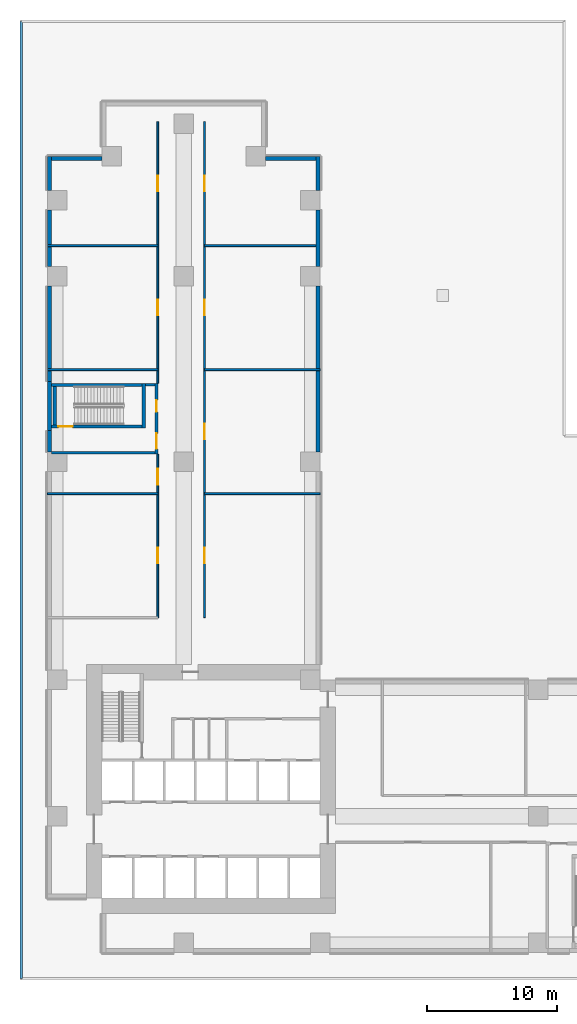
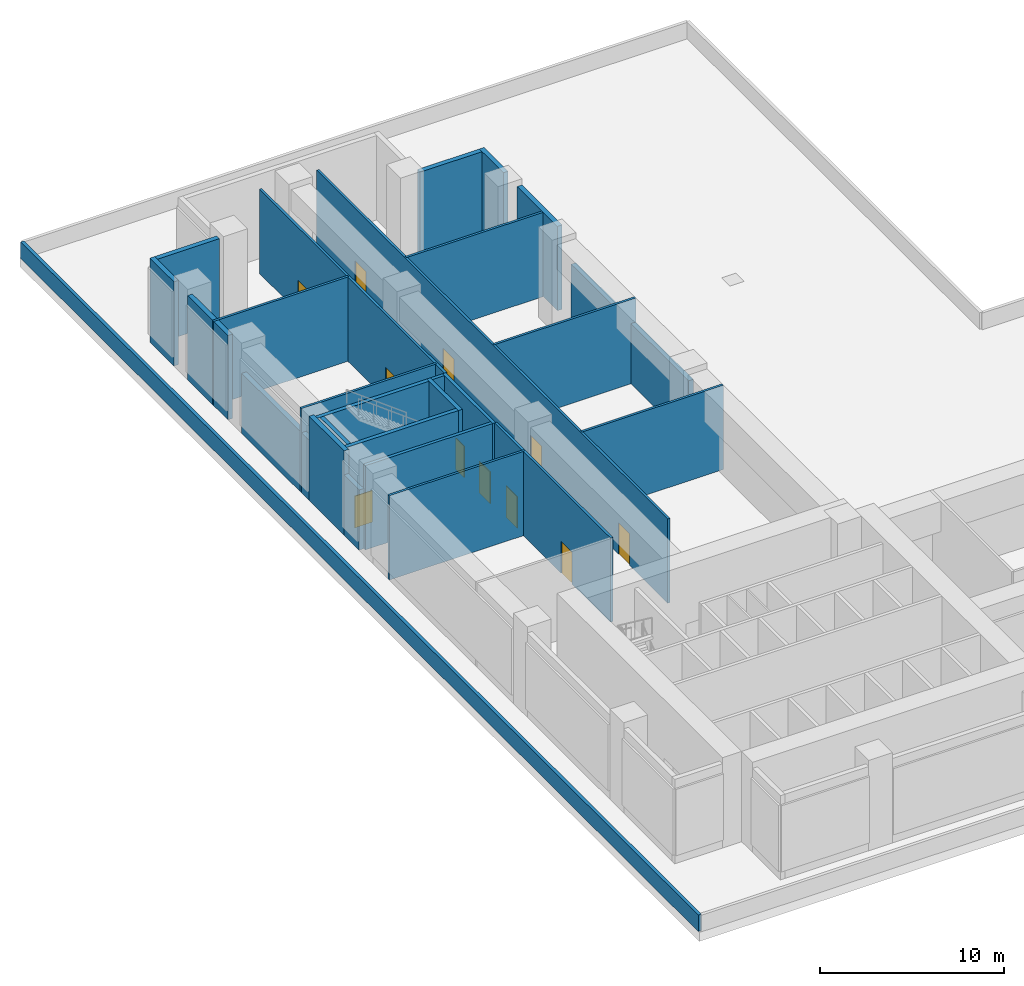
# One storey, part 4 of 11: 27 walls, 11 doors, 11 openings.
"""IFC4 building model written with IfcOpenShell, lengths in metres."""

from ifc_helpers import new_model, si_unit, direction, frame, frame_2d, origin, place, context, subcontext, project, spatial, rectangle, extrude, source, transform, mapped, material, layer, layer_set, type_object, element, fill, save


model = new_model("IFC4")

# Units and contexts
model_context = context("Model", 3, precision=1e-05, world=origin(), true_north=direction((0.0, 1.0)))
body_context = subcontext(model_context, "Body", "Model", "MODEL_VIEW")
ifc_project = project(units=[si_unit("LENGTHUNIT", "METRE"), si_unit("AREAUNIT", "SQUARE_METRE"), si_unit("VOLUMEUNIT", "CUBIC_METRE"), si_unit("PLANEANGLEUNIT", "RADIAN"), si_unit("MASSUNIT", "GRAM", prefix="KILO")], contexts=[model_context])

# Site, building, storey
site_placement = place(None, origin())
site = spatial("IfcSite", under=ifc_project, at=site_placement, CompositionType="ELEMENT")
building_placement = place(site_placement, origin())
building = spatial("IfcBuilding", under=site, at=building_placement, Name="Aurelian Terraces", CompositionType="ELEMENT")
storey_placement = place(building_placement, frame((0.0, 0.0, 34.5)))
storey = spatial("IfcBuildingStorey", under=building, at=storey_placement, Name="L06", CompositionType="ELEMENT", Elevation=34.5)

# Walls
ifc_material_1 = material(Name="Terracotta rainscreen cladding", Category="masonry")
ifc_layer_1 = layer(ifc_material_1, 0.3)
ifc_layer_set_1 = layer_set([ifc_layer_1], Name="EW-300")
wall_type_1 = type_object("IfcWallType", Name="EW-300", PredefinedType="STANDARD", material=ifc_layer_set_1)
wall_1_placement = place(storey_placement, frame((20.85, 52.83, 0.0), z_axis=(0.0, 0.0, 1.0), x_axis=(0.0, 1.0, 0.0)))
element("IfcWall", 1, at=wall_1_placement, inside=storey, type_object=wall_type_1, Name="External wall L06 F08.3", PredefinedType="STANDARD", context=body_context, shape_type="SweptSolid", body=[
    extrude(rectangle(XDim=4.38, YDim=0.3, at=frame_2d((2.19, 0.0))), origin(), (0.0, 0.0, 1.0), 5.6),
])
ifc_material_2 = material(Name="Gypsum board on steel studs", Category="steel")
ifc_layer_2 = layer(ifc_material_2, 0.15)
ifc_layer_set_2 = layer_set([ifc_layer_2], Name="Special partition 150")
wall_type_2 = type_object("IfcWallType", Name="Special partition 150", PredefinedType="PARTITIONING", material=ifc_layer_set_2)
wall_2_placement = place(storey_placement, frame((12.1, 35.35, 0.0), z_axis=(0.0, 0.0, 1.0), x_axis=(1.0, 0.0, 0.0)))
element("IfcWall", 2, at=wall_2_placement, inside=storey, type_object=wall_type_2, Name="L06 partition W06", PredefinedType="PARTITIONING", context=body_context, shape_type="SweptSolid", body=[
    extrude(rectangle(XDim=8.9, YDim=0.15, at=frame_2d((4.45, 0.0))), origin(), (0.0, 0.0, 1.0), 5.6),
])

# Wall, openings, doors
wall_3_placement = place(storey_placement, frame((8.5, 25.8, 0.0), z_axis=(0.0, 0.0, 1.0), x_axis=(0.0, 1.0, 0.0)))
wall_3 = element("IfcWall", 3, at=wall_3_placement, inside=storey, type_object=wall_type_2, Name="L06 partition W11", PredefinedType="PARTITIONING", context=body_context, shape_type="SweptSolid", body=[
    extrude(rectangle(XDim=12.6, YDim=0.15, at=frame_2d((6.3, 0.0))), origin(), (0.0, 0.0, 1.0), 5.6),
])
shared_shape_1 = source(origin(), body_context, "Body", "SweptSolid", [
    extrude(rectangle(XDim=1.2, YDim=2.1, at=frame_2d((0.6, 1.05))), frame((0.0, 0.085, 0.0), z_axis=(0.0, -1.0, 0.0), x_axis=(1.0, 0.0, 0.0)), (0.0, 0.0, 1.0), 0.17),
])
opening_1_placement = place(wall_3_placement, frame((4.175, 0.0, 0.0)))
opening_1 = element("IfcOpeningElement", 4, at=opening_1_placement, cuts=wall_3, Name="Opening 70909", PredefinedType="OPENING", context=body_context, shape_type="MappedRepresentation", body=[
    mapped(shared_shape_1, transform((0.0, 0.0, 0.0), scale=1.0)),
])
opening_2_placement = place(wall_3_placement, frame((10.25, 0.0, 0.0)))
opening_2 = element("IfcOpeningElement", 5, at=opening_2_placement, cuts=wall_3, Name="Opening 70910", PredefinedType="OPENING", context=body_context, shape_type="MappedRepresentation", body=[
    mapped(shared_shape_1, transform((0.0, 0.0, 0.0), scale=1.0)),
])
ifc_material_3 = material(Name="Steel door leaf", Category="steel")
door_type_1 = type_object("IfcDoorType", Name="Special door 1200x2100", OperationType="SINGLE_SWING_LEFT", PredefinedType="DOOR", material=ifc_material_3)
shared_shape_2 = source(origin(), body_context, "Body", "SweptSolid", [
    extrude(rectangle(XDim=1.2, YDim=2.1, at=frame_2d((0.6, 1.05))), frame((0.0, 0.025, 0.0), z_axis=(0.0, -1.0, 0.0), x_axis=(1.0, 0.0, 0.0)), (0.0, 0.0, 1.0), 0.05),
])
door_1_placement = place(opening_1_placement, origin())
door_1 = element("IfcDoor", 6, at=door_1_placement, inside=storey, type_object=door_type_1, Name="Door 70909", OperationType="SINGLE_SWING_LEFT", OverallHeight=2.1, OverallWidth=1.2, PredefinedType="DOOR", context=body_context, shape_type="MappedRepresentation", body=[
    mapped(shared_shape_2, transform((0.0, 0.0, 0.0), scale=1.0)),
])
fill(opening_1, door_1)
door_type_2 = type_object("IfcDoorType", Name="Special door 1200x2100 right", OperationType="SINGLE_SWING_RIGHT", PredefinedType="DOOR", material=ifc_material_3)
door_2_placement = place(opening_2_placement, origin())
door_2 = element("IfcDoor", 7, at=door_2_placement, inside=storey, type_object=door_type_2, Name="Door 70910", OperationType="SINGLE_SWING_RIGHT", OverallHeight=2.1, OverallWidth=1.2, PredefinedType="DOOR", context=body_context, shape_type="MappedRepresentation", body=[
    mapped(shared_shape_2, transform((0.0, 0.0, 0.0), scale=1.0)),
])
fill(opening_2, door_2)

wall_4_placement = place(storey_placement, frame((8.5, 43.85, 0.0), z_axis=(0.0, 0.0, 1.0), x_axis=(0.0, 1.0, 0.0)))
wall_4 = element("IfcWall", 8, at=wall_4_placement, inside=storey, type_object=wall_type_2, Name="L06 partition W12", PredefinedType="PARTITIONING", context=body_context, shape_type="SweptSolid", body=[
    extrude(rectangle(XDim=20.15, YDim=0.15, at=frame_2d((10.075, 0.0))), origin(), (0.0, 0.0, 1.0), 5.6),
])
opening_3_placement = place(wall_4_placement, frame((5.225, 0.0, 0.0)))
opening_3 = element("IfcOpeningElement", 9, at=opening_3_placement, cuts=wall_4, Name="Opening 70911", PredefinedType="OPENING", context=body_context, shape_type="MappedRepresentation", body=[
    mapped(shared_shape_1, transform((0.0, 0.0, 0.0), scale=1.0)),
])
opening_4_placement = place(wall_4_placement, frame((14.775, 0.0, 0.0)))
opening_4 = element("IfcOpeningElement", 10, at=opening_4_placement, cuts=wall_4, Name="Opening 70912", PredefinedType="OPENING", context=body_context, shape_type="MappedRepresentation", body=[
    mapped(shared_shape_1, transform((0.0, 0.0, 0.0), scale=1.0)),
])
door_3_placement = place(opening_3_placement, origin())
door_3 = element("IfcDoor", 11, at=door_3_placement, inside=storey, type_object=door_type_1, Name="Door 70911", OperationType="SINGLE_SWING_LEFT", OverallHeight=2.1, OverallWidth=1.2, PredefinedType="DOOR", context=body_context, shape_type="MappedRepresentation", body=[
    mapped(shared_shape_2, transform((0.0, 0.0, 0.0), scale=1.0)),
])
fill(opening_3, door_3)
door_4_placement = place(opening_4_placement, origin())
door_4 = element("IfcDoor", 12, at=door_4_placement, inside=storey, type_object=door_type_2, Name="Door 70912", OperationType="SINGLE_SWING_RIGHT", OverallHeight=2.1, OverallWidth=1.2, PredefinedType="DOOR", context=body_context, shape_type="MappedRepresentation", body=[
    mapped(shared_shape_2, transform((0.0, 0.0, 0.0), scale=1.0)),
])
fill(opening_4, door_4)

wall_5_placement = place(storey_placement, frame((12.1, 25.8, 0.0), z_axis=(0.0, 0.0, 1.0), x_axis=(0.0, 1.0, 0.0)))
wall_5 = element("IfcWall", 13, at=wall_5_placement, inside=storey, type_object=wall_type_2, Name="L06 partition W13", PredefinedType="PARTITIONING", context=body_context, shape_type="SweptSolid", body=[
    extrude(rectangle(XDim=38.2, YDim=0.15, at=frame_2d((19.1, 0.0))), origin(), (0.0, 0.0, 1.0), 5.6),
])
opening_5_placement = place(wall_5_placement, frame((4.175, 0.0, 0.0)))
opening_5 = element("IfcOpeningElement", 14, at=opening_5_placement, cuts=wall_5, Name="Opening 70913", PredefinedType="OPENING", context=body_context, shape_type="MappedRepresentation", body=[
    mapped(shared_shape_1, transform((0.0, 0.0, 0.0), scale=1.0)),
])
opening_6_placement = place(wall_5_placement, frame((13.725, 0.0, 0.0)))
opening_6 = element("IfcOpeningElement", 15, at=opening_6_placement, cuts=wall_5, Name="Opening 70914", PredefinedType="OPENING", context=body_context, shape_type="MappedRepresentation", body=[
    mapped(shared_shape_1, transform((0.0, 0.0, 0.0), scale=1.0)),
])
opening_7_placement = place(wall_5_placement, frame((23.275, 0.0, 0.0)))
opening_7 = element("IfcOpeningElement", 16, at=opening_7_placement, cuts=wall_5, Name="Opening 70915", PredefinedType="OPENING", context=body_context, shape_type="MappedRepresentation", body=[
    mapped(shared_shape_1, transform((0.0, 0.0, 0.0), scale=1.0)),
])
opening_8_placement = place(wall_5_placement, frame((32.825, 0.0, 0.0)))
opening_8 = element("IfcOpeningElement", 17, at=opening_8_placement, cuts=wall_5, Name="Opening 70916", PredefinedType="OPENING", context=body_context, shape_type="MappedRepresentation", body=[
    mapped(shared_shape_1, transform((0.0, 0.0, 0.0), scale=1.0)),
])
door_5_placement = place(opening_5_placement, origin())
door_5 = element("IfcDoor", 18, at=door_5_placement, inside=storey, type_object=door_type_1, Name="Door 70913", OperationType="SINGLE_SWING_LEFT", OverallHeight=2.1, OverallWidth=1.2, PredefinedType="DOOR", context=body_context, shape_type="MappedRepresentation", body=[
    mapped(shared_shape_2, transform((0.0, 0.0, 0.0), scale=1.0)),
])
fill(opening_5, door_5)
door_6_placement = place(opening_6_placement, origin())
door_6 = element("IfcDoor", 19, at=door_6_placement, inside=storey, type_object=door_type_2, Name="Door 70914", OperationType="SINGLE_SWING_RIGHT", OverallHeight=2.1, OverallWidth=1.2, PredefinedType="DOOR", context=body_context, shape_type="MappedRepresentation", body=[
    mapped(shared_shape_2, transform((0.0, 0.0, 0.0), scale=1.0)),
])
fill(opening_6, door_6)
door_7_placement = place(opening_7_placement, origin())
door_7 = element("IfcDoor", 20, at=door_7_placement, inside=storey, type_object=door_type_1, Name="Door 70915", OperationType="SINGLE_SWING_LEFT", OverallHeight=2.1, OverallWidth=1.2, PredefinedType="DOOR", context=body_context, shape_type="MappedRepresentation", body=[
    mapped(shared_shape_2, transform((0.0, 0.0, 0.0), scale=1.0)),
])
fill(opening_7, door_7)
door_8_placement = place(opening_8_placement, origin())
door_8 = element("IfcDoor", 21, at=door_8_placement, inside=storey, type_object=door_type_2, Name="Door 70916", OperationType="SINGLE_SWING_RIGHT", OverallHeight=2.1, OverallWidth=1.2, PredefinedType="DOOR", context=body_context, shape_type="MappedRepresentation", body=[
    mapped(shared_shape_2, transform((0.0, 0.0, 0.0), scale=1.0)),
])
fill(opening_8, door_8)

# Walls
shared_shape_3 = source(origin(), body_context, "Body", "SweptSolid", [
    extrude(rectangle(XDim=4.2, YDim=0.3, at=frame_2d((2.1, 0.0))), origin(), (0.0, 0.0, 1.0), 5.6),
])
for number, where, z_axis, x_axis, name in (
    (22, (21.0, 61.17, 0.0), (0.0, 0.0, 1.0), (-1.0, 0.0, 0.0), "External wall L06 F09.1"),
    (23, (4.2, 61.17, 0.0), (0.0, 0.0, 1.0), (-1.0, 0.0, 0.0), "External wall L06 F13.1"),
):
    element("IfcWall", number, at=place(storey_placement, frame(where, z_axis=z_axis, x_axis=x_axis)), inside=storey, type_object=wall_type_1, Name=name, PredefinedType="STANDARD", context=body_context, shape_type="MappedRepresentation", body=[
        mapped(shared_shape_3, transform((0.0, 0.0, 0.0), scale=1.0)),
    ])
shared_shape_4 = source(origin(), body_context, "Body", "SweptSolid", [
    extrude(rectangle(XDim=2.61, YDim=0.3, at=frame_2d((1.305, 0.0))), origin(), (0.0, 0.0, 1.0), 5.6),
])
for number, where, z_axis, x_axis, name in (
    (24, (20.85, 58.71, 0.0), (0.0, 0.0, 1.0), (0.0, 1.0, 0.0), "External wall L06 F08.4"),
    (25, (0.15, 61.32, 0.0), (0.0, 0.0, 1.0), (0.0, -1.0, 0.0), "External wall L06 F14.1"),
):
    element("IfcWall", number, at=place(storey_placement, frame(where, z_axis=z_axis, x_axis=x_axis)), inside=storey, type_object=wall_type_1, Name=name, PredefinedType="STANDARD", context=body_context, shape_type="MappedRepresentation", body=[
        mapped(shared_shape_4, transform((0.0, 0.0, 0.0), scale=1.0)),
    ])
shared_shape_5 = source(origin(), body_context, "Body", "SweptSolid", [
    extrude(rectangle(XDim=12.78, YDim=0.3, at=frame_2d((6.39, 0.0))), origin(), (0.0, 0.0, 1.0), 4.0),
])
wall_6_placement = place(storey_placement, frame((20.85, 38.55, 0.0), z_axis=(0.0, 0.0, 1.0), x_axis=(0.0, 1.0, 0.0)))
element("IfcWall", 26, at=wall_6_placement, inside=storey, type_object=wall_type_1, Name="External wall L06 F08.2", PredefinedType="STANDARD", context=body_context, shape_type="MappedRepresentation", body=[
    mapped(shared_shape_5, transform((0.0, 0.0, 0.0), scale=1.0)),
])
shared_shape_6 = source(origin(), body_context, "Body", "SweptSolid", [
    extrude(rectangle(XDim=4.38, YDim=0.3, at=frame_2d((2.19, 0.0))), origin(), (0.0, 0.0, 1.0), 5.6),
])
wall_7_placement = place(storey_placement, frame((0.15, 57.21, 0.0), z_axis=(0.0, 0.0, 1.0), x_axis=(0.0, -1.0, 0.0)))
element("IfcWall", 27, at=wall_7_placement, inside=storey, type_object=wall_type_1, Name="External wall L06 F14.2", PredefinedType="STANDARD", context=body_context, shape_type="MappedRepresentation", body=[
    mapped(shared_shape_6, transform((0.0, 0.0, 0.0), scale=1.0)),
])
shared_shape_7 = source(origin(), body_context, "Body", "SweptSolid", [
    extrude(rectangle(XDim=7.33, YDim=0.3, at=frame_2d((3.665, 0.0))), origin(), (0.0, 0.0, 1.0), 4.0),
])
wall_8_placement = place(storey_placement, frame((0.15, 51.33, 0.0), z_axis=(0.0, 0.0, 1.0), x_axis=(0.0, -1.0, 0.0)))
element("IfcWall", 28, at=wall_8_placement, inside=storey, type_object=wall_type_1, Name="External wall L06 F14.3", PredefinedType="STANDARD", context=body_context, shape_type="MappedRepresentation", body=[
    mapped(shared_shape_7, transform((0.0, 0.0, 0.0), scale=1.0)),
])
ifc_material_4 = material(Name="Concrete fc' 40 MPa", Category="concrete")
ifc_layer_3 = layer(ifc_material_4, 0.3)
ifc_layer_set_3 = layer_set([ifc_layer_3], Name="STAIR BAY WALL 300")
wall_type_3 = type_object("IfcWallType", Name="STAIR BAY WALL 300", PredefinedType="SOLIDWALL", material=ifc_layer_set_3)
shared_shape_8 = source(origin(), body_context, "Body", "SweptSolid", [
    extrude(rectangle(XDim=3.8, YDim=0.3, at=frame_2d((1.9, 0.0))), origin(), (0.0, 0.0, 1.0), 5.6),
])
wall_9_placement = place(storey_placement, frame((0.15, 44.0, 0.0), z_axis=(0.0, 0.0, 1.0), x_axis=(0.0, -1.0, 0.0)))
element("IfcWall", 29, at=wall_9_placement, inside=storey, type_object=wall_type_3, Name="Stair bay wall L06 F14.4", PredefinedType="SOLIDWALL", context=body_context, shape_type="MappedRepresentation", body=[
    mapped(shared_shape_8, transform((0.0, 0.0, 0.0), scale=1.0)),
])
shared_shape_9 = source(origin(), body_context, "Body", "SweptSolid", [
    extrude(rectangle(XDim=1.65, YDim=0.3, at=frame_2d((0.825, 0.0))), origin(), (0.0, 0.0, 1.0), 4.0),
])
wall_10_placement = place(storey_placement, frame((0.15, 40.2, 0.0), z_axis=(0.0, 0.0, 1.0), x_axis=(0.0, -1.0, 0.0)))
element("IfcWall", 30, at=wall_10_placement, inside=storey, type_object=wall_type_1, Name="External wall L06 F14.5", PredefinedType="STANDARD", context=body_context, shape_type="MappedRepresentation", body=[
    mapped(shared_shape_9, transform((0.0, 0.0, 0.0), scale=1.0)),
])
ifc_layer_4 = layer(ifc_material_1, 0.2)
ifc_layer_set_4 = layer_set([ifc_layer_4], Name="PARAPET-200")
wall_type_4 = type_object("IfcWallType", Name="PARAPET-200", PredefinedType="PARAPET", material=ifc_layer_set_4)
shared_shape_10 = source(origin(), body_context, "Body", "SweptSolid", [
    extrude(rectangle(XDim=73.74, YDim=0.2, at=frame_2d((36.87, 0.0))), origin(), (0.0, 0.0, 1.0), 1.1),
])
wall_11_placement = place(storey_placement, frame((-2.01, -2.01, 0.0), z_axis=(0.0, 0.0, 1.0), x_axis=(0.0, 1.0, 0.0)))
element("IfcWall", 31, at=wall_11_placement, inside=storey, type_object=wall_type_4, Name="Parapet L06 L06-X1", PredefinedType="PARAPET", context=body_context, shape_type="MappedRepresentation", body=[
    mapped(shared_shape_10, transform((0.0, 0.0, 0.0), scale=1.0)),
])

# Wall, opening, door
ifc_layer_5 = layer(ifc_material_4, 0.25)
ifc_layer_set_5 = layer_set([ifc_layer_5], Name="Stair enclosure wall 250")
wall_type_5 = type_object("IfcWallType", Name="Stair enclosure wall 250", PredefinedType="SOLIDWALL", material=ifc_layer_set_5)
shared_shape_11 = source(origin(), body_context, "Body", "SweptSolid", [
    extrude(rectangle(XDim=7.0, YDim=0.25, at=frame_2d((3.5, 0.0))), origin(), (0.0, 0.0, 1.0), 5.6),
])
wall_12_placement = place(storey_placement, frame((0.3, 40.525, 0.0), z_axis=(0.0, 0.0, 1.0), x_axis=(1.0, 0.0, 0.0)))
wall_12 = element("IfcWall", 32, at=wall_12_placement, inside=storey, type_object=wall_type_5, Name="L06 core wall ST-S3-W", PredefinedType="SOLIDWALL", context=body_context, shape_type="MappedRepresentation", body=[
    mapped(shared_shape_11, transform((0.0, 0.0, 0.0), scale=1.0)),
])
shared_shape_12 = source(origin(), body_context, "Body", "SweptSolid", [
    extrude(rectangle(XDim=1.1, YDim=2.1, at=frame_2d((0.55, 1.05))), frame((0.0, 0.135, 0.0), z_axis=(0.0, -1.0, 0.0), x_axis=(1.0, 0.0, 0.0)), (0.0, 0.0, 1.0), 0.27),
])
opening_9_placement = place(wall_12_placement, frame((0.55, 0.0, 0.0)))
opening_9 = element("IfcOpeningElement", 33, at=opening_9_placement, cuts=wall_12, Name="Opening 60918", PredefinedType="OPENING", context=body_context, shape_type="MappedRepresentation", body=[
    mapped(shared_shape_12, transform((0.0, 0.0, 0.0), scale=1.0)),
])
door_type_3 = type_object("IfcDoorType", Name="Core fire door 1100x2100 right", OperationType="SINGLE_SWING_RIGHT", PredefinedType="DOOR", material=ifc_material_3)
shared_shape_13 = source(origin(), body_context, "Body", "SweptSolid", [
    extrude(rectangle(XDim=1.1, YDim=2.1, at=frame_2d((0.55, 1.05))), frame((0.0, 0.025, 0.0), z_axis=(0.0, -1.0, 0.0), x_axis=(1.0, 0.0, 0.0)), (0.0, 0.0, 1.0), 0.05),
])
door_9_placement = place(opening_9_placement, origin())
door_9 = element("IfcDoor", 34, at=door_9_placement, inside=storey, type_object=door_type_3, Name="Stair door 60918", OperationType="SINGLE_SWING_RIGHT", OverallHeight=2.1, OverallWidth=1.1, PredefinedType="DOOR", context=body_context, shape_type="MappedRepresentation", body=[
    mapped(shared_shape_13, transform((0.0, 0.0, 0.0), scale=1.0)),
])
fill(opening_9, door_9)

# Walls
wall_13_placement = place(storey_placement, frame((0.3, 43.725, 0.0), z_axis=(0.0, 0.0, 1.0), x_axis=(1.0, 0.0, 0.0)))
element("IfcWall", 35, at=wall_13_placement, inside=storey, type_object=wall_type_5, Name="L06 core wall ST-S3-E", PredefinedType="SOLIDWALL", context=body_context, shape_type="MappedRepresentation", body=[
    mapped(shared_shape_11, transform((0.0, 0.0, 0.0), scale=1.0)),
])
shared_shape_14 = source(origin(), body_context, "Body", "SweptSolid", [
    extrude(rectangle(XDim=3.45, YDim=0.25, at=frame_2d((1.725, 0.0))), origin(), (0.0, 0.0, 1.0), 5.6),
])
wall_14_placement = place(storey_placement, frame((7.425, 40.4, 0.0), z_axis=(0.0, 0.0, 1.0), x_axis=(0.0, 1.0, 0.0)))
element("IfcWall", 36, at=wall_14_placement, inside=storey, type_object=wall_type_5, Name="L06 core wall ST-S3-N", PredefinedType="SOLIDWALL", context=body_context, shape_type="MappedRepresentation", body=[
    mapped(shared_shape_14, transform((0.0, 0.0, 0.0), scale=1.0)),
])
shared_shape_15 = source(origin(), body_context, "Body", "SweptSolid", [
    extrude(rectangle(XDim=2.95, YDim=0.25, at=frame_2d((1.475, 0.0))), origin(), (0.0, 0.0, 1.0), 5.6),
])
wall_15_placement = place(storey_placement, frame((0.575, 40.65, 0.0), z_axis=(0.0, 0.0, 1.0), x_axis=(0.0, 1.0, 0.0)))
element("IfcWall", 37, at=wall_15_placement, inside=storey, type_object=wall_type_5, Name="L06 core wall ST-S3-SS", PredefinedType="SOLIDWALL", context=body_context, shape_type="MappedRepresentation", body=[
    mapped(shared_shape_15, transform((0.0, 0.0, 0.0), scale=1.0)),
])
ifc_layer_6 = layer(ifc_material_2, 0.2)
ifc_layer_set_6 = layer_set([ifc_layer_6], Name="Core partition 200")
wall_type_6 = type_object("IfcWallType", Name="Core partition 200", PredefinedType="PARTITIONING", material=ifc_layer_set_6)
shared_shape_16 = source(origin(), body_context, "Body", "SweptSolid", [
    extrude(rectangle(XDim=8.0, YDim=0.2, at=frame_2d((4.0, 0.0))), origin(), (0.0, 0.0, 1.0), 5.6),
])
wall_16_placement = place(storey_placement, frame((0.3, 38.5, 0.0), z_axis=(0.0, 0.0, 1.0), x_axis=(1.0, 0.0, 0.0)))
element("IfcWall", 38, at=wall_16_placement, inside=storey, type_object=wall_type_6, Name="L06 core wall ST-S3-VW", PredefinedType="PARTITIONING", context=body_context, shape_type="MappedRepresentation", body=[
    mapped(shared_shape_16, transform((0.0, 0.0, 0.0), scale=1.0)),
])

# Wall, openings, doors
shared_shape_17 = source(origin(), body_context, "Body", "SweptSolid", [
    extrude(rectangle(XDim=5.45, YDim=0.2, at=frame_2d((2.725, 0.0))), origin(), (0.0, 0.0, 1.0), 5.6),
])
wall_17_placement = place(storey_placement, frame((8.4, 38.4, 0.0), z_axis=(0.0, 0.0, 1.0), x_axis=(0.0, 1.0, 0.0)))
wall_17 = element("IfcWall", 39, at=wall_17_placement, inside=storey, type_object=wall_type_6, Name="L06 core wall ST-S3-BN", PredefinedType="PARTITIONING", context=body_context, shape_type="MappedRepresentation", body=[
    mapped(shared_shape_17, transform((0.0, 0.0, 0.0), scale=1.0)),
])
shared_shape_18 = source(origin(), body_context, "Body", "SweptSolid", [
    extrude(rectangle(XDim=1.2, YDim=2.1, at=frame_2d((0.6, 1.05))), frame((0.0, 0.11, 0.0), z_axis=(0.0, -1.0, 0.0), x_axis=(1.0, 0.0, 0.0)), (0.0, 0.0, 1.0), 0.22),
])
opening_10_placement = place(wall_17_placement, frame((0.4, 0.0, 0.0)))
opening_10 = element("IfcOpeningElement", 40, at=opening_10_placement, cuts=wall_17, Name="Opening 60919", PredefinedType="OPENING", context=body_context, shape_type="MappedRepresentation", body=[
    mapped(shared_shape_18, transform((0.0, 0.0, 0.0), scale=1.0)),
])
shared_shape_19 = source(origin(), body_context, "Body", "SweptSolid", [
    extrude(rectangle(XDim=0.9, YDim=2.1, at=frame_2d((0.45, 1.05))), frame((0.0, 0.11, 0.0), z_axis=(0.0, -1.0, 0.0), x_axis=(1.0, 0.0, 0.0)), (0.0, 0.0, 1.0), 0.22),
])
opening_11_placement = place(wall_17_placement, frame((3.25, 0.0, 0.0)))
opening_11 = element("IfcOpeningElement", 41, at=opening_11_placement, cuts=wall_17, Name="Opening 60920", PredefinedType="OPENING", context=body_context, shape_type="MappedRepresentation", body=[
    mapped(shared_shape_19, transform((0.0, 0.0, 0.0), scale=1.0)),
])
door_type_4 = type_object("IfcDoorType", Name="Core riser door 900x2100 right", OperationType="SINGLE_SWING_RIGHT", PredefinedType="DOOR", material=ifc_material_3)
shared_shape_20 = source(origin(), body_context, "Body", "SweptSolid", [
    extrude(rectangle(XDim=0.9, YDim=2.1, at=frame_2d((0.45, 1.05))), frame((0.0, 0.025, 0.0), z_axis=(0.0, -1.0, 0.0), x_axis=(1.0, 0.0, 0.0)), (0.0, 0.0, 1.0), 0.05),
])
door_10_placement = place(opening_11_placement, origin())
door_10 = element("IfcDoor", 42, at=door_10_placement, inside=storey, type_object=door_type_4, Name="Riser door 60920", OperationType="SINGLE_SWING_RIGHT", OverallHeight=2.1, OverallWidth=0.9, PredefinedType="DOOR", context=body_context, shape_type="MappedRepresentation", body=[
    mapped(shared_shape_20, transform((0.0, 0.0, 0.0), scale=1.0)),
])
fill(opening_11, door_10)
door_type_5 = type_object("IfcDoorType", Name="Core fire door 1200x2100", OperationType="SINGLE_SWING_LEFT", PredefinedType="DOOR", material=ifc_material_3)
door_11_placement = place(opening_10_placement, origin())
door_11 = element("IfcDoor", 43, at=door_11_placement, inside=storey, type_object=door_type_5, Name="Vestibule door 60919", OperationType="SINGLE_SWING_LEFT", OverallHeight=2.1, OverallWidth=1.2, PredefinedType="DOOR", context=body_context, shape_type="MappedRepresentation", body=[
    mapped(shared_shape_2, transform((0.0, 0.0, 0.0), scale=1.0)),
])
fill(opening_10, door_11)

# Walls
shared_shape_21 = source(origin(), body_context, "Body", "SweptSolid", [
    extrude(rectangle(XDim=0.75, YDim=0.2, at=frame_2d((0.375, 0.0))), origin(), (0.0, 0.0, 1.0), 5.6),
])
wall_18_placement = place(storey_placement, frame((7.55, 43.75, 0.0), z_axis=(0.0, 0.0, 1.0), x_axis=(1.0, 0.0, 0.0)))
element("IfcWall", 44, at=wall_18_placement, inside=storey, type_object=wall_type_6, Name="L06 core wall ST-S3-RE", PredefinedType="PARTITIONING", context=body_context, shape_type="MappedRepresentation", body=[
    mapped(shared_shape_21, transform((0.0, 0.0, 0.0), scale=1.0)),
])
shared_shape_22 = source(origin(), body_context, "Body", "SweptSolid", [
    extrude(rectangle(XDim=8.5, YDim=0.15, at=frame_2d((4.25, 0.0))), origin(), (0.0, 0.0, 1.0), 5.6),
])
for number, where, z_axis, x_axis, name in (
    (45, (0.0, 35.35, 0.0), (0.0, 0.0, 1.0), (1.0, 0.0, 0.0), "L06 partition W05"),
    (46, (0.0, 44.9, 0.0), (0.0, 0.0, 1.0), (1.0, 0.0, 0.0), "L06 partition W07"),
    (47, (0.0, 54.45, 0.0), (0.0, 0.0, 1.0), (1.0, 0.0, 0.0), "L06 partition W09"),
):
    element("IfcWall", number, at=place(storey_placement, frame(where, z_axis=z_axis, x_axis=x_axis)), inside=storey, type_object=wall_type_2, Name=name, PredefinedType="PARTITIONING", context=body_context, shape_type="MappedRepresentation", body=[
        mapped(shared_shape_22, transform((0.0, 0.0, 0.0), scale=1.0)),
    ])
shared_shape_23 = source(origin(), body_context, "Body", "SweptSolid", [
    extrude(rectangle(XDim=8.9, YDim=0.15, at=frame_2d((4.45, 0.0))), origin(), (0.0, 0.0, 1.0), 5.6),
])
for number, where, z_axis, x_axis, name in (
    (48, (12.1, 44.9, 0.0), (0.0, 0.0, 1.0), (1.0, 0.0, 0.0), "L06 partition W08"),
    (49, (12.1, 54.45, 0.0), (0.0, 0.0, 1.0), (1.0, 0.0, 0.0), "L06 partition W10"),
):
    element("IfcWall", number, at=place(storey_placement, frame(where, z_axis=z_axis, x_axis=x_axis)), inside=storey, type_object=wall_type_2, Name=name, PredefinedType="PARTITIONING", context=body_context, shape_type="MappedRepresentation", body=[
        mapped(shared_shape_23, transform((0.0, 0.0, 0.0), scale=1.0)),
    ])

save(model, "model.ifc")
